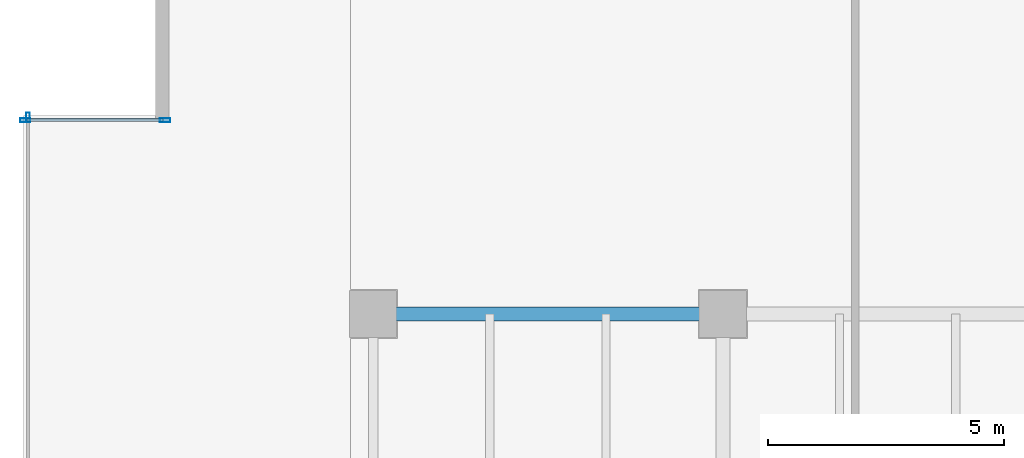
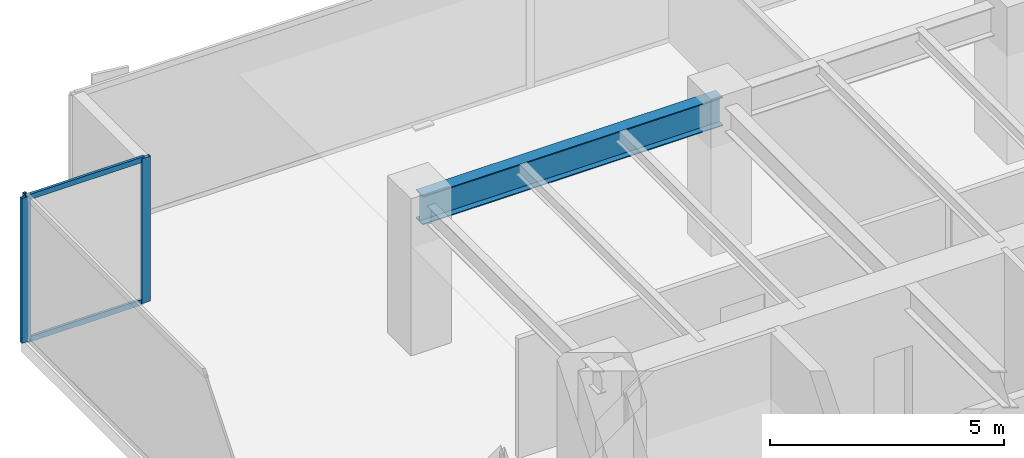
# One storey, part 12 of 37: 5 members, 1 beam, 2 elements without a shape of their own.
"""IFC4 building model written with IfcOpenShell, lengths in metres."""

from ifc_helpers import new_model, si_unit, direction, frame, origin, origin_2d, place, context, subcontext, project, spatial, hollow_rectangle, i_section, extrude, source, transform, mapped, material, layer, layer_set, material_profile, profile_set, type_object, type_shapes, element, aggregate, save


model = new_model("IFC4")

# Units and contexts
model_context = context("Model", 3, precision=1e-05, world=origin(), true_north=direction((0.0, 1.0)))
body_context = subcontext(model_context, "Body", "Model", "MODEL_VIEW")
ifc_project = project(units=[si_unit("LENGTHUNIT", "METRE"), si_unit("AREAUNIT", "SQUARE_METRE"), si_unit("VOLUMEUNIT", "CUBIC_METRE"), si_unit("PLANEANGLEUNIT", "RADIAN"), si_unit("MASSUNIT", "GRAM", prefix="KILO")], contexts=[model_context])

# Site, building, storey
site_placement = place(None, origin())
site = spatial("IfcSite", under=ifc_project, at=site_placement, CompositionType="ELEMENT")
building_placement = place(site_placement, origin())
building = spatial("IfcBuilding", under=site, at=building_placement, Name="Haelvirn Gate Laboratories", CompositionType="ELEMENT")
storey_placement = place(building_placement, frame((0.0, 0.0, 74.39990234375)))
storey = spatial("IfcBuildingStorey", under=building, at=storey_placement, Name="L18", CompositionType="ELEMENT", Elevation=74.39990234375)

# Beam
ifc_material_1 = material(Name="Steel SM355", Category="steel")
ifc_material_profile_1 = material_profile(ifc_material_1, i_section(OverallWidth=0.300048828125, OverallDepth=0.75, WebThickness=0.013916015625, FlangeThickness=0.02392578125, at=origin_2d()), Name="H-750x300x14x24")
ifc_profile_set_1 = profile_set([ifc_material_profile_1], Name="Steel SM355")
beam_type = type_object("IfcBeamType", Name="BM-G-750", PredefinedType="BEAM", material=ifc_profile_set_1)
shared_shape_1 = source(origin(), body_context, "Body", "SweptSolid", [
    extrude(i_section(OverallWidth=0.300048828125, OverallDepth=0.75, WebThickness=0.013916015625, FlangeThickness=0.02392578125, at=origin_2d()), origin(), (0.0, 0.0, 1.0), 7.400146484375),
])
type_shapes(beam_type, [shared_shape_1])
beam_placement = place(storey_placement, frame((7.39990234375, 41.60009765625, 3.405029296875), z_axis=(1.0, 0.0, 0.0), x_axis=(0.0, 1.0, 0.0)))
element("IfcBeam", 1, at=beam_placement, inside=storey, type_object=beam_type, Name="L18 Primary Girder Y41.6 (7.4-14.8)", PredefinedType="BEAM", context=body_context, shape_type="MappedRepresentation", body=[
    mapped(shared_shape_1, transform((0.0, 0.0, 0.0), scale=1.0)),
])

# Curtain wall, member
ifc_material_2 = material(Name="Anodised bronze unitised aluminium & triple low-E glass", Category="aluminium")
ifc_layer_1 = layer(ifc_material_2, 0.18408203125, Name="CW-SYS-2")
ifc_layer_set_1 = layer_set([ifc_layer_1], Name="Anodised bronze unitised aluminium & triple low-E glass")
curtain_wall_type_1 = type_object("IfcCurtainWallType", Name="CW-SYS-2", PredefinedType="NOTDEFINED", material=ifc_layer_set_1)
curtain_wall_1_placement = place(storey_placement, origin())
curtain_wall_1 = element("IfcCurtainWall", 2, at=curtain_wall_1_placement, inside=storey, type_object=curtain_wall_type_1, Name="L18 Unitised Curtain Wall CW-L18-P0-E17", PredefinedType="NOTDEFINED")
ifc_material_3 = material(Name="Extruded aluminium 6063-T6 (anodised bronze)", Category="aluminium")
ifc_material_profile_2 = material_profile(ifc_material_3, hollow_rectangle(XDim=0.074951171875, YDim=0.199951171875, WallThickness=0.0048828125, at=origin_2d()), Name="CWM-200x75x5")
ifc_profile_set_2 = profile_set([ifc_material_profile_2], Name="Extruded aluminium 6063-T6 (anodised bronze)")
member_type_1 = type_object("IfcMemberType", Name="CWM-T200", PredefinedType="MULLION", material=ifc_profile_set_2)
shared_shape_2 = source(origin(), body_context, "Body", "SweptSolid", [
    extrude(hollow_rectangle(XDim=0.074951171875, YDim=0.199951171875, WallThickness=0.0048828125, at=origin_2d()), origin(), (0.0, 0.0, 1.0), 3.780029296875),
])
type_shapes(member_type_1, [shared_shape_2])
member_1_placement = place(storey_placement, frame((0.10009765625, 45.762451171875, 0.0), z_axis=(0.0, 0.0, 1.0), x_axis=(1.0, 0.0, 0.0)))
member_1 = element("IfcMember", 3, at=member_1_placement, type_object=member_type_1, Name="CW2 mullion 1", PredefinedType="MULLION", context=body_context, shape_type="MappedRepresentation", body=[
    mapped(shared_shape_2, transform((0.0, 0.0, 0.0), scale=1.0)),
])
aggregate(curtain_wall_1, [member_1])

# Curtain wall, members
ifc_layer_2 = layer(ifc_material_2, 0.181884765625, Name="CW-SYS-5")
ifc_layer_set_2 = layer_set([ifc_layer_2], Name="Anodised bronze unitised aluminium & triple low-E glass")
curtain_wall_type_2 = type_object("IfcCurtainWallType", Name="CW-SYS-5", PredefinedType="NOTDEFINED", material=ifc_layer_set_2)
curtain_wall_2_placement = place(storey_placement, origin())
curtain_wall_2 = element("IfcCurtainWall", 4, at=curtain_wall_2_placement, inside=storey, type_object=curtain_wall_type_2, Name="L18 Unitised Curtain Wall CW-L18-P0-E16-1", PredefinedType="NOTDEFINED")
ifc_material_profile_3 = material_profile(ifc_material_3, hollow_rectangle(XDim=0.080078125, YDim=0.219970703125, WallThickness=0.006103515625, at=origin_2d()), Name="CWM-220x80x6")
ifc_profile_set_3 = profile_set([ifc_material_profile_3], Name="Extruded aluminium 6063-T6 (anodised bronze)")
member_type_2 = type_object("IfcMemberType", Name="CWM-T220", PredefinedType="MULLION", material=ifc_profile_set_3)
shared_shape_3 = source(origin(), body_context, "Body", "SweptSolid", [
    extrude(hollow_rectangle(XDim=0.080078125, YDim=0.219970703125, WallThickness=0.006103515625, at=origin_2d()), origin(), (0.0, 0.0, 1.0), 3.780029296875),
])
type_shapes(member_type_2, [shared_shape_3])
member_2_placement = place(storey_placement, frame((0.0400390625, 45.699951171875, 0.0), z_axis=(0.0, 0.0, 1.0), x_axis=(0.0, 1.0, 0.0)))
member_2 = element("IfcMember", 5, at=member_2_placement, type_object=member_type_2, Name="CW5 mullion 1", PredefinedType="MULLION", context=body_context, shape_type="MappedRepresentation", body=[
    mapped(shared_shape_3, transform((0.0, 0.0, 0.0), scale=1.0)),
])
member_3_placement = place(storey_placement, frame((3.0, 45.699951171875, 0.0), z_axis=(0.0, 0.0, 1.0), x_axis=(0.0, 1.0, 0.0)))
member_3 = element("IfcMember", 6, at=member_3_placement, type_object=member_type_2, Name="CW5 mullion 2", PredefinedType="MULLION", context=body_context, shape_type="MappedRepresentation", body=[
    mapped(shared_shape_3, transform((0.0, 0.0, 0.0), scale=1.0)),
])
ifc_material_profile_4 = material_profile(ifc_material_3, hollow_rectangle(XDim=0.06494140625, YDim=0.139892578125, WallThickness=0.00390625, at=origin_2d()), Name="CWT-140x65x4")
ifc_profile_set_4 = profile_set([ifc_material_profile_4], Name="Extruded aluminium 6063-T6 (anodised bronze)")
member_type_3 = type_object("IfcMemberType", Name="CWT-T140", PredefinedType="USERDEFINED", material=ifc_profile_set_4)
shared_shape_4 = source(origin(), body_context, "Body", "SweptSolid", [
    extrude(hollow_rectangle(XDim=0.06494140625, YDim=0.139892578125, WallThickness=0.00390625, at=origin_2d()), origin(), (0.0, 0.0, 1.0), 2.8798828125),
])
type_shapes(member_type_3, [shared_shape_4])
member_4_placement = place(storey_placement, frame((0.080078125, 45.699951171875, 0.03271484375), z_axis=(1.0, 0.0, 0.0), x_axis=(0.0, 1.0, 0.0)))
member_4 = element("IfcMember", 7, at=member_4_placement, type_object=member_type_3, Name="CW5 transom 1.1", ObjectType="TRANSOM", PredefinedType="USERDEFINED", context=body_context, shape_type="MappedRepresentation", body=[
    mapped(shared_shape_4, transform((0.0, 0.0, 0.0), scale=1.0)),
])
member_5_placement = place(storey_placement, frame((0.080078125, 45.699951171875, 3.74755859375), z_axis=(1.0, 0.0, 0.0), x_axis=(0.0, 1.0, 0.0)))
member_5 = element("IfcMember", 8, at=member_5_placement, type_object=member_type_3, Name="CW5 transom 1.2", ObjectType="TRANSOM", PredefinedType="USERDEFINED", context=body_context, shape_type="MappedRepresentation", body=[
    mapped(shared_shape_4, transform((0.0, 0.0, 0.0), scale=1.0)),
])
aggregate(curtain_wall_2, [member_2, member_3, member_4, member_5])

save(model, "model.ifc")
